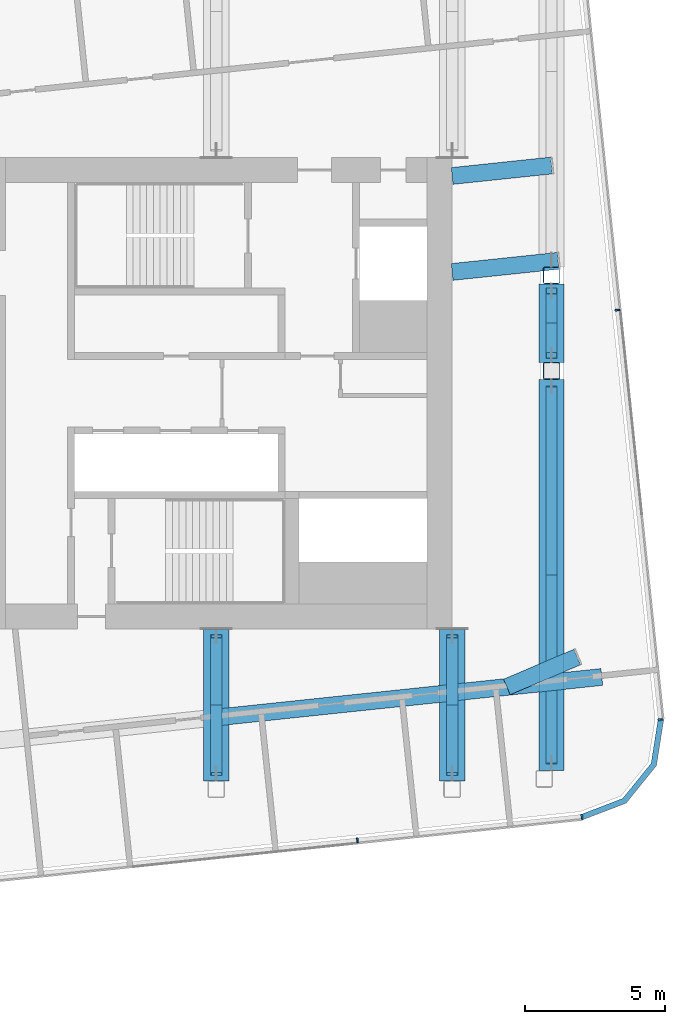
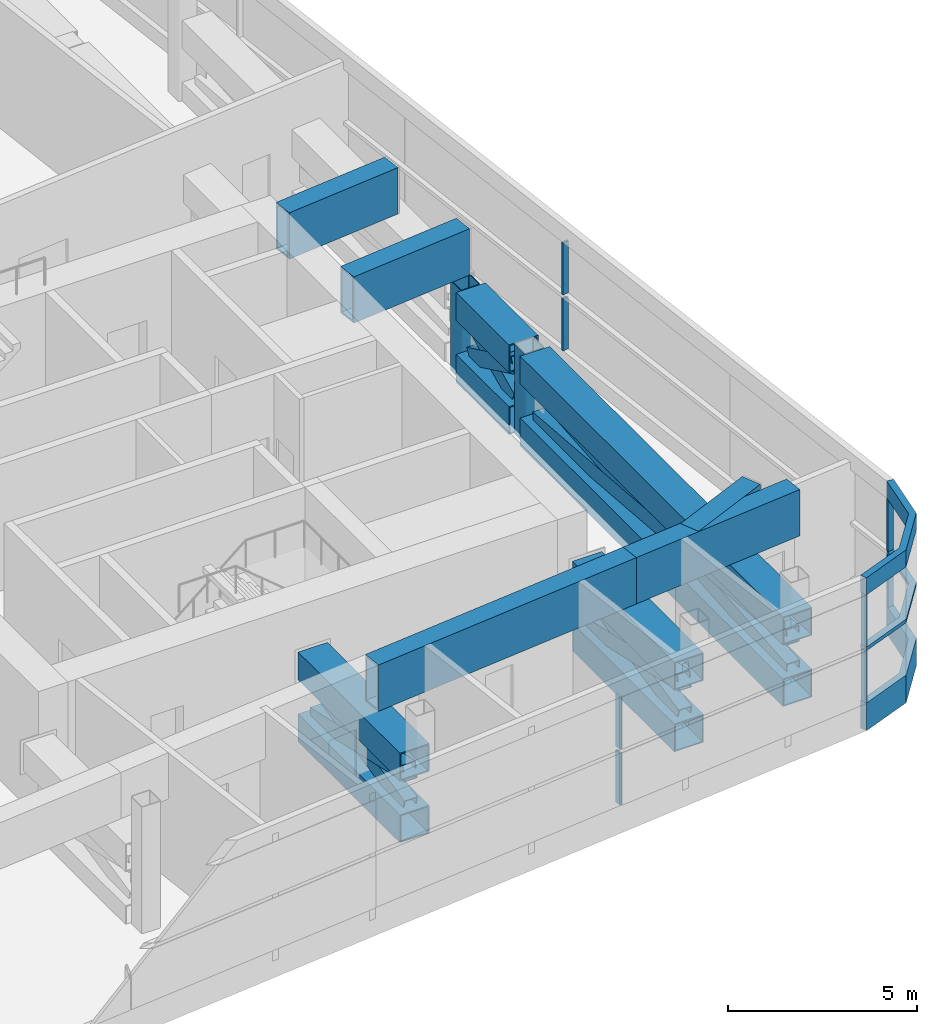
# One storey, part 12 of 33: 29 members, 5 beams, 3 elements without a shape of their own.
"""IFC4 building model written with IfcOpenShell, lengths in metres."""

from ifc_helpers import new_model, si_unit, direction, frame, origin, origin_2d, place, context, subcontext, project, spatial, polyline, rectangle, hollow_rectangle, outline, extrude, material, layer, layer_set, material_profile, profile_set, type_object, element, aggregate, save


model = new_model("IFC4")

# Units and contexts
model_context = context("Model", 3, precision=1e-05, world=origin(), true_north=direction((0.0, 1.0)))
body_context = subcontext(model_context, "Body", "Model", "MODEL_VIEW")
ifc_project = project(units=[si_unit("LENGTHUNIT", "METRE"), si_unit("AREAUNIT", "SQUARE_METRE"), si_unit("VOLUMEUNIT", "CUBIC_METRE"), si_unit("PLANEANGLEUNIT", "RADIAN"), si_unit("MASSUNIT", "GRAM", prefix="KILO")], contexts=[model_context])

# Site, building, storey
site_placement = place(None, origin())
site = spatial("IfcSite", under=ifc_project, at=site_placement, CompositionType="ELEMENT")
building_placement = place(site_placement, origin())
building = spatial("IfcBuilding", under=site, at=building_placement, Name="Hakoniwa Tower and Hamabe Station Hall", CompositionType="ELEMENT")
storey_placement = place(building_placement, frame((0.0, 0.0, 228.199951171875)))
storey = spatial("IfcBuildingStorey", under=building, at=storey_placement, Name="L65", CompositionType="ELEMENT", Elevation=228.199951171875)

# Curtain wall, members
ifc_material_1 = material(Name="Dark low-e laminated glass", Category="glass")
ifc_layer = layer(ifc_material_1, 0.199951171875)
ifc_layer_set = layer_set([ifc_layer], Name="CW-6 PLANT LOUVRE")
curtain_wall_type = type_object("IfcCurtainWallType", Name="CW-6 PLANT LOUVRE", PredefinedType="NOTDEFINED", material=ifc_layer_set)
curtain_wall_1_placement = place(storey_placement, origin())
curtain_wall_1 = element("IfcCurtainWall", 1, at=curtain_wall_1_placement, inside=storey, type_object=curtain_wall_type, Name="CW-6 curtain wall", PredefinedType="NOTDEFINED")
ifc_material_2 = material(Name="Aluminium 6063-T5 black anodised", Category="aluminium")
ifc_material_profile_1 = material_profile(ifc_material_2, rectangle(XDim=0.199951171875, YDim=0.550048828125, at=origin_2d()), Name="CW HEAD BAND 550X200")
ifc_profile_set_1 = profile_set([ifc_material_profile_1], Name="Aluminium 6063-T5 black anodised")
member_type_1 = type_object("IfcMemberType", Name="CW HEAD BAND 550X200", PredefinedType="USERDEFINED", material=ifc_profile_set_1)
member_1_placement = place(storey_placement, frame((0.0, 0.0, 3.85009765625)))
member_1 = element("IfcMember", 2, at=member_1_placement, type_object=member_type_1, Name="CW-6 transom", ObjectType="TRANSOM", PredefinedType="USERDEFINED", context=body_context, shape_type="SweptSolid", body=[
    extrude(outline(polyline([(38.23291015625, -15.19091796875), (39.79443359375, -14.59130859375), (40.873046875, -13.259521484375), (41.134765625, -11.607421875), (40.937255859375, -11.576171875), (40.683837890625, -13.17529296875), (39.6728515625, -14.423828125), (38.1611328125, -15.004150390625), (38.23291015625, -15.19091796875)])), origin(), (0.0, 0.0, 1.0), 0.550048828125),
])
ifc_material_3 = material(Name="Aluminium 6063-T5 black anodised", Category="aluminium")
ifc_material_profile_2 = material_profile(ifc_material_3, rectangle(XDim=0.199951171875, YDim=0.1201171875, at=origin_2d()), Name="CW MID TRANSOM 120X200")
ifc_profile_set_2 = profile_set([ifc_material_profile_2], Name="Aluminium 6063-T5 black anodised")
member_type_2 = type_object("IfcMemberType", Name="CW MID TRANSOM 120X200", PredefinedType="USERDEFINED", material=ifc_profile_set_2)
member_2_placement = place(storey_placement, frame((0.0, 0.0, 2.0400390625)))
member_2 = element("IfcMember", 3, at=member_2_placement, type_object=member_type_2, Name="CW-6 transom", ObjectType="TRANSOM", PredefinedType="USERDEFINED", context=body_context, shape_type="SweptSolid", body=[
    extrude(outline(polyline([(38.23291015625, -15.19091796875), (39.79443359375, -14.59130859375), (40.873046875, -13.259521484375), (41.134765625, -11.607421875), (40.937255859375, -11.576171875), (40.683837890625, -13.17529296875), (39.6728515625, -14.423828125), (38.1611328125, -15.004150390625), (38.23291015625, -15.19091796875)])), origin(), (0.0, 0.0, 1.0), 0.1201171875),
])
ifc_material_4 = material(Name="Aluminium 6063-T5 black anodised", Category="aluminium")
ifc_material_profile_3 = material_profile(ifc_material_4, rectangle(XDim=0.199951171875, YDim=0.89990234375, at=origin_2d()), Name="CW SLAB-EDGE BAND 900X200")
ifc_profile_set_3 = profile_set([ifc_material_profile_3], Name="Aluminium 6063-T5 black anodised")
member_type_3 = type_object("IfcMemberType", Name="CW SLAB-EDGE BAND 900X200", PredefinedType="USERDEFINED", material=ifc_profile_set_3)
member_3_placement = place(storey_placement, frame((0.0, 0.0, -0.550048828125)))
member_3 = element("IfcMember", 4, at=member_3_placement, type_object=member_type_3, Name="CW-6 transom", ObjectType="TRANSOM", PredefinedType="USERDEFINED", context=body_context, shape_type="SweptSolid", body=[
    extrude(outline(polyline([(38.23291015625, -15.19091796875), (39.79443359375, -14.59130859375), (40.873046875, -13.259521484375), (41.134765625, -11.607421875), (40.937255859375, -11.576171875), (40.683837890625, -13.17529296875), (39.6728515625, -14.423828125), (38.1611328125, -15.004150390625), (38.23291015625, -15.19091796875)])), origin(), (0.0, 0.0, 1.0), 0.900146484375),
])
aggregate(curtain_wall_1, [member_3, member_2, member_1])

curtain_wall_2_placement = place(storey_placement, origin())
curtain_wall_2 = element("IfcCurtainWall", 5, at=curtain_wall_2_placement, inside=storey, type_object=curtain_wall_type, Name="CW-6 curtain wall", PredefinedType="NOTDEFINED")
ifc_material_5 = material(Name="Aluminium 6063-T5 black anodised", Category="aluminium")
ifc_material_profile_4 = material_profile(ifc_material_5, rectangle(XDim=0.06005859375, YDim=0.179931640625, at=origin_2d()), Name="CW-1 MULLION 60X180")
ifc_profile_set_4 = profile_set([ifc_material_profile_4], Name="Aluminium 6063-T5 black anodised")
member_type_4 = type_object("IfcMemberType", Name="CW-1 MULLION 60X180", PredefinedType="MULLION", material=ifc_profile_set_4)
member_4_placement = place(storey_placement, frame((41.017333984375, -11.61962890625, 0.35009765625), z_axis=(0.0, 0.0, 1.0), x_axis=(-0.104528461376, 0.994521895567, 0.0)))
member_4 = element("IfcMember", 6, at=member_4_placement, type_object=member_type_4, Name="CW-6 mullion", PredefinedType="MULLION", context=body_context, shape_type="SweptSolid", body=[
    extrude(rectangle(XDim=0.06005859375, YDim=0.179931640625, at=origin_2d()), origin(), (0.0, 0.0, 1.0), 1.68994140625),
])
member_5_placement = place(storey_placement, frame((41.017333984375, -11.61962890625, 2.16015625), z_axis=(0.0, 0.0, 1.0), x_axis=(-0.104528461376, 0.994521895567, 0.0)))
member_5 = element("IfcMember", 7, at=member_5_placement, type_object=member_type_4, Name="CW-6 mullion", PredefinedType="MULLION", context=body_context, shape_type="SweptSolid", body=[
    extrude(rectangle(XDim=0.06005859375, YDim=0.179931640625, at=origin_2d()), origin(), (0.0, 0.0, 1.0), 1.68994140625),
])
member_6_placement = place(storey_placement, frame((39.484619140625, 2.9638671875, 0.35009765625), z_axis=(0.0, 0.0, 1.0), x_axis=(-0.104528461376, 0.994521895567, 0.0)))
member_6 = element("IfcMember", 8, at=member_6_placement, type_object=member_type_4, Name="CW-6 mullion", PredefinedType="MULLION", context=body_context, shape_type="SweptSolid", body=[
    extrude(rectangle(XDim=0.06005859375, YDim=0.179931640625, at=origin_2d()), origin(), (0.0, 0.0, 1.0), 1.68994140625),
])
member_7_placement = place(storey_placement, frame((39.484619140625, 2.9638671875, 2.16015625), z_axis=(0.0, 0.0, 1.0), x_axis=(-0.104528461376, 0.994521895567, 0.0)))
member_7 = element("IfcMember", 9, at=member_7_placement, type_object=member_type_4, Name="CW-6 mullion", PredefinedType="MULLION", context=body_context, shape_type="SweptSolid", body=[
    extrude(rectangle(XDim=0.06005859375, YDim=0.179931640625, at=origin_2d()), origin(), (0.0, 0.0, 1.0), 1.68994140625),
])
aggregate(curtain_wall_2, [member_4, member_5, member_6, member_7])

curtain_wall_3_placement = place(storey_placement, origin())
curtain_wall_3 = element("IfcCurtainWall", 10, at=curtain_wall_3_placement, inside=storey, type_object=curtain_wall_type, Name="CW-6 curtain wall", PredefinedType="NOTDEFINED")
member_8_placement = place(storey_placement, frame((30.225830078125, -15.913818359375, 0.35009765625), z_axis=(0.0, 0.0, 1.0), x_axis=(0.994521895328, 0.10452846365, 0.0)))
member_8 = element("IfcMember", 11, at=member_8_placement, type_object=member_type_4, Name="CW-6 mullion", PredefinedType="MULLION", context=body_context, shape_type="SweptSolid", body=[
    extrude(rectangle(XDim=0.06005859375, YDim=0.179931640625, at=origin_2d()), origin(), (0.0, 0.0, 1.0), 1.68994140625),
])
member_9_placement = place(storey_placement, frame((30.225830078125, -15.913818359375, 2.16015625), z_axis=(0.0, 0.0, 1.0), x_axis=(0.994521895328, 0.10452846365, 0.0)))
member_9 = element("IfcMember", 12, at=member_9_placement, type_object=member_type_4, Name="CW-6 mullion", PredefinedType="MULLION", context=body_context, shape_type="SweptSolid", body=[
    extrude(rectangle(XDim=0.06005859375, YDim=0.179931640625, at=origin_2d()), origin(), (0.0, 0.0, 1.0), 1.68994140625),
])
member_10_placement = place(storey_placement, frame((38.220458984375, -15.073486328125, 0.35009765625), z_axis=(0.0, 0.0, 1.0), x_axis=(0.994521895328, 0.10452846365, 0.0)))
member_10 = element("IfcMember", 13, at=member_10_placement, type_object=member_type_4, Name="CW-6 mullion", PredefinedType="MULLION", context=body_context, shape_type="SweptSolid", body=[
    extrude(rectangle(XDim=0.06005859375, YDim=0.179931640625, at=origin_2d()), origin(), (0.0, 0.0, 1.0), 1.68994140625),
])
member_11_placement = place(storey_placement, frame((38.220458984375, -15.073486328125, 2.16015625), z_axis=(0.0, 0.0, 1.0), x_axis=(0.994521895328, 0.10452846365, 0.0)))
member_11 = element("IfcMember", 14, at=member_11_placement, type_object=member_type_4, Name="CW-6 mullion", PredefinedType="MULLION", context=body_context, shape_type="SweptSolid", body=[
    extrude(rectangle(XDim=0.06005859375, YDim=0.179931640625, at=origin_2d()), origin(), (0.0, 0.0, 1.0), 1.68994140625),
])
aggregate(curtain_wall_3, [member_8, member_9, member_10, member_11])

# Beams
ifc_material_6 = material(Name="Steel SN490C", Category="steel")
ifc_material_profile_5 = material_profile(ifc_material_6, hollow_rectangle(XDim=0.60009765625, YDim=1.5, WallThickness=0.054931640625, at=origin_2d()), Name="BX-1500x600x55")
ifc_profile_set_5 = profile_set([ifc_material_profile_5], Name="Steel SN490C")
beam_type = type_object("IfcBeamType", Name="TRANSFER GIRDER BX-1500x600x55", PredefinedType="BEAM", material=ifc_profile_set_5)
beam_1_placement = place(storey_placement, frame((25.199951171875, -11.54296875, 3.35009765625), z_axis=(0.99452286114, 0.104519274156, 0.0), x_axis=(-0.104519274156, 0.99452286114, 0.0)))
element("IfcBeam", 15, at=beam_1_placement, inside=storey, type_object=beam_type, Name="Truss T4-S-A5-G8", PredefinedType="BEAM", context=body_context, shape_type="SweptSolid", body=[
    extrude(hollow_rectangle(XDim=0.60009765625, YDim=1.5, WallThickness=0.054931640625, at=origin_2d()), origin(), (0.0, 0.0, 1.0), 8.4462890625),
])
beam_2_placement = place(storey_placement, frame((33.60009765625, -10.66015625, 3.35009765625), z_axis=(0.994524407692, 0.104504557338, 0.0), x_axis=(-0.104504557338, 0.994524407692, 0.0)))
element("IfcBeam", 16, at=beam_2_placement, inside=storey, type_object=beam_type, Name="Truss T4-S-A5-G9", PredefinedType="BEAM", context=body_context, shape_type="SweptSolid", body=[
    extrude(hollow_rectangle(XDim=0.60009765625, YDim=1.5, WallThickness=0.054931640625, at=origin_2d()), origin(), (0.0, 0.0, 1.0), 5.359130859375),
])
beam_3_placement = place(storey_placement, frame((33.60009765625, 4.322509765625, 3.35009765625), z_axis=(0.994523774093, 0.104510586847, 0.0), x_axis=(-0.104510586847, 0.994523774093, 0.0)))
element("IfcBeam", 17, at=beam_3_placement, inside=storey, type_object=beam_type, Name="Truss T4-S-C5-G6", PredefinedType="BEAM", context=body_context, shape_type="SweptSolid", body=[
    extrude(hollow_rectangle(XDim=0.60009765625, YDim=1.5, WallThickness=0.054931640625, at=origin_2d()), origin(), (0.0, 0.0, 1.0), 3.793701171875),
])
beam_4_placement = place(storey_placement, frame((33.60009765625, 7.74072265625, 3.35009765625), z_axis=(0.994518227854, 0.104563351449, 0.0), x_axis=(-0.104563351449, 0.994518227854, 0.0)))
element("IfcBeam", 18, at=beam_4_placement, inside=storey, type_object=beam_type, Name="Truss T4-S-D5-G6", PredefinedType="BEAM", context=body_context, shape_type="SweptSolid", body=[
    extrude(hollow_rectangle(XDim=0.60009765625, YDim=1.5, WallThickness=0.054931640625, at=origin_2d()), origin(), (0.0, 0.0, 1.0), 3.558349609375),
])
beam_5_placement = place(storey_placement, frame((35.548583984375, -10.455322265625, 3.35009765625), z_axis=(0.920245351483, 0.39134191326, 0.0), x_axis=(-0.39134191326, 0.920245351483, 0.0)))
element("IfcBeam", 19, at=beam_5_placement, inside=storey, type_object=beam_type, Name="Truss L65-XG3", PredefinedType="BEAM", context=body_context, shape_type="SweptSolid", body=[
    extrude(hollow_rectangle(XDim=0.60009765625, YDim=1.5, WallThickness=0.054931640625, at=origin_2d()), origin(), (0.0, 0.0, 1.0), 2.722412109375),
])

# Members
ifc_material_7 = material(Name="Steel SN490C", Category="steel")
ifc_material_profile_6 = material_profile(ifc_material_7, hollow_rectangle(XDim=0.89990234375, YDim=0.89990234375, WallThickness=0.035888671875, at=origin_2d()), Name="BX-900x900x36")
ifc_profile_set_6 = profile_set([ifc_material_profile_6], Name="Steel SN490C")
member_type_5 = type_object("IfcMemberType", Name="TRUSS CHORD BX-900x900x36", PredefinedType="CHORD", material=ifc_profile_set_6)
for number, where, z_axis, x_axis, name in (
    (20, (25.199951171875, -13.800048828125, 0.150146484375), (0.0, 1.0, 0.0), (-1.0, 0.0, 0.0), "Truss T4-14-BC01"),
    (21, (25.199951171875, -13.800048828125, 2.150146484375), (0.0, 1.0, 0.0), (-1.0, 0.0, 0.0), "Truss T4-14-TC01"),
    (22, (33.60009765625, -13.800048828125, 0.150146484375), (0.0, 1.0, 0.0), (-1.0, 0.0, 0.0), "Truss T4-16-BC01"),
    (23, (33.60009765625, -13.800048828125, 2.150146484375), (0.0, 1.0, 0.0), (-1.0, 0.0, 0.0), "Truss T4-16-TC01"),
):
    element("IfcMember", number, at=place(storey_placement, frame(where, z_axis=z_axis, x_axis=x_axis)), inside=storey, type_object=member_type_5, Name=name, PredefinedType="CHORD", context=body_context, shape_type="SweptSolid", body=[
        extrude(hollow_rectangle(XDim=0.89990234375, YDim=0.89990234375, WallThickness=0.035888671875, at=origin_2d()), origin(), (0.0, 0.0, 1.0), 5.400146484375),
    ])
for number, where, z_axis, x_axis, name in (
    (24, (37.138916015625, -13.427978515625, 0.150146484375), (0.0, 1.0, 0.0), (-1.0, 0.0, 0.0), "Truss T4-18-BC01"),
    (25, (37.138916015625, -13.427978515625, 2.150146484375), (0.0, 1.0, 0.0), (-1.0, 0.0, 0.0), "Truss T4-18-TC01"),
):
    element("IfcMember", number, at=place(storey_placement, frame(where, z_axis=z_axis, x_axis=x_axis)), inside=storey, type_object=member_type_5, Name=name, PredefinedType="CHORD", context=body_context, shape_type="SweptSolid", body=[
        extrude(hollow_rectangle(XDim=0.89990234375, YDim=0.89990234375, WallThickness=0.035888671875, at=origin_2d()), origin(), (0.0, 0.0, 1.0), 13.927978515625),
    ])
for number, where, z_axis, x_axis, name in (
    (26, (37.138916015625, 1.10009765625, 0.150146484375), (0.0, 1.0, 0.0), (-1.0, 0.0, 0.0), "Truss T4-18-BC02"),
    (27, (37.138916015625, 1.10009765625, 2.150146484375), (0.0, 1.0, 0.0), (-1.0, 0.0, 0.0), "Truss T4-18-TC02"),
):
    element("IfcMember", number, at=place(storey_placement, frame(where, z_axis=z_axis, x_axis=x_axis)), inside=storey, type_object=member_type_5, Name=name, PredefinedType="CHORD", context=body_context, shape_type="SweptSolid", body=[
        extrude(hollow_rectangle(XDim=0.89990234375, YDim=0.89990234375, WallThickness=0.035888671875, at=origin_2d()), origin(), (0.0, 0.0, 1.0), 2.7998046875),
    ])
ifc_material_8 = material(Name="Steel SN490C", Category="steel")
ifc_material_profile_7 = material_profile(ifc_material_8, hollow_rectangle(XDim=0.39990234375, YDim=0.5, WallThickness=0.02197265625, at=origin_2d()), Name="BX-500x400x22")
ifc_profile_set_7 = profile_set([ifc_material_profile_7], Name="Steel SN490C")
member_type_6 = type_object("IfcMemberType", Name="TRUSS DIAGONAL BX-500x400x22", PredefinedType="BRACE", material=ifc_profile_set_7)
for number, where, z_axis, x_axis, name in (
    (28, (25.199951171875, -13.550048828125, 0.60009765625), (0.0, 0.975723884725, 0.219004339629), (-1.0, 0.0, 0.0), "Truss T4-14-D01a"),
    (29, (25.199951171875, -13.550048828125, 1.699951171875), (0.0, 0.975723884725, -0.219004339629), (-1.0, 0.0, 0.0), "Truss T4-14-D01b"),
    (30, (33.60009765625, -13.550048828125, 0.60009765625), (0.0, 0.975723884725, 0.219004339629), (-1.0, 0.0, 0.0), "Truss T4-16-D01a"),
    (31, (33.60009765625, -13.550048828125, 1.699951171875), (0.0, 0.975723884725, -0.219004339629), (-1.0, 0.0, 0.0), "Truss T4-16-D01b"),
):
    element("IfcMember", number, at=place(storey_placement, frame(where, z_axis=z_axis, x_axis=x_axis)), inside=storey, type_object=member_type_6, Name=name, PredefinedType="BRACE", context=body_context, shape_type="SweptSolid", body=[
        extrude(hollow_rectangle(XDim=0.39990234375, YDim=0.5, WallThickness=0.02197265625, at=origin_2d()), origin(), (0.0, 0.0, 1.0), 5.02197265625),
    ])
for number, where, z_axis, x_axis, name in (
    (32, (37.138916015625, -13.177978515625, 0.60009765625), (0.0, 0.996662356859, 0.081634223335), (-1.0, 0.0, 0.0), "Truss T4-18-D01a"),
    (33, (37.138916015625, -13.177978515625, 1.699951171875), (0.0, 0.996662356859, -0.081634223335), (-1.0, 0.0, 0.0), "Truss T4-18-D01b"),
):
    element("IfcMember", number, at=place(storey_placement, frame(where, z_axis=z_axis, x_axis=x_axis)), inside=storey, type_object=member_type_6, Name=name, PredefinedType="BRACE", context=body_context, shape_type="SweptSolid", body=[
        extrude(hollow_rectangle(XDim=0.39990234375, YDim=0.5, WallThickness=0.02197265625, at=origin_2d()), origin(), (0.0, 0.0, 1.0), 13.472900390625),
    ])
for number, where, z_axis, x_axis, name in (
    (34, (37.138916015625, 1.35009765625, 0.60009765625), (0.0, 0.902142324992, 0.431438553513), (-1.0, 0.0, 0.0), "Truss T4-18-D02a"),
    (35, (37.138916015625, 1.35009765625, 1.699951171875), (0.0, 0.902142324992, -0.431438553513), (-1.0, 0.0, 0.0), "Truss T4-18-D02b"),
):
    element("IfcMember", number, at=place(storey_placement, frame(where, z_axis=z_axis, x_axis=x_axis)), inside=storey, type_object=member_type_6, Name=name, PredefinedType="BRACE", context=body_context, shape_type="SweptSolid", body=[
        extrude(hollow_rectangle(XDim=0.39990234375, YDim=0.5, WallThickness=0.02197265625, at=origin_2d()), origin(), (0.0, 0.0, 1.0), 2.54931640625),
    ])
ifc_material_9 = material(Name="Steel BCP325", Category="steel")
ifc_material_profile_8 = material_profile(ifc_material_9, hollow_rectangle(XDim=0.60009765625, YDim=0.60009765625, WallThickness=0.02490234375, InnerFilletRadius=0.03759765625, OuterFilletRadius=0.0625, at=origin_2d()), Name="BCP-600x600x25")
ifc_profile_set_8 = profile_set([ifc_material_profile_8], Name="Steel BCP325")
member_type_7 = type_object("IfcMemberType", Name="TRUSS POST BCP-600x600x25", PredefinedType="POST", material=ifc_profile_set_8)
for number, where, z_axis, x_axis, name in (
    (36, (37.138916015625, 0.800048828125, -0.300048828125), (0.0, 0.0, 1.0), (1.0, 0.0, 0.0), "Truss T4-18-P02"),
    (37, (37.138916015625, 4.199951171875, -0.300048828125), (0.0, 0.0, 1.0), (1.0, 0.0, 0.0), "Truss T4-18-P03"),
):
    element("IfcMember", number, at=place(storey_placement, frame(where, z_axis=z_axis, x_axis=x_axis)), inside=storey, type_object=member_type_7, Name=name, PredefinedType="POST", context=body_context, shape_type="SweptSolid", body=[
        extrude(hollow_rectangle(XDim=0.60009765625, YDim=0.60009765625, WallThickness=0.02490234375, InnerFilletRadius=0.03759765625, OuterFilletRadius=0.0625, at=origin_2d()), origin(), (0.0, 0.0, 1.0), 2.900146484375),
    ])

save(model, "model.ifc")
